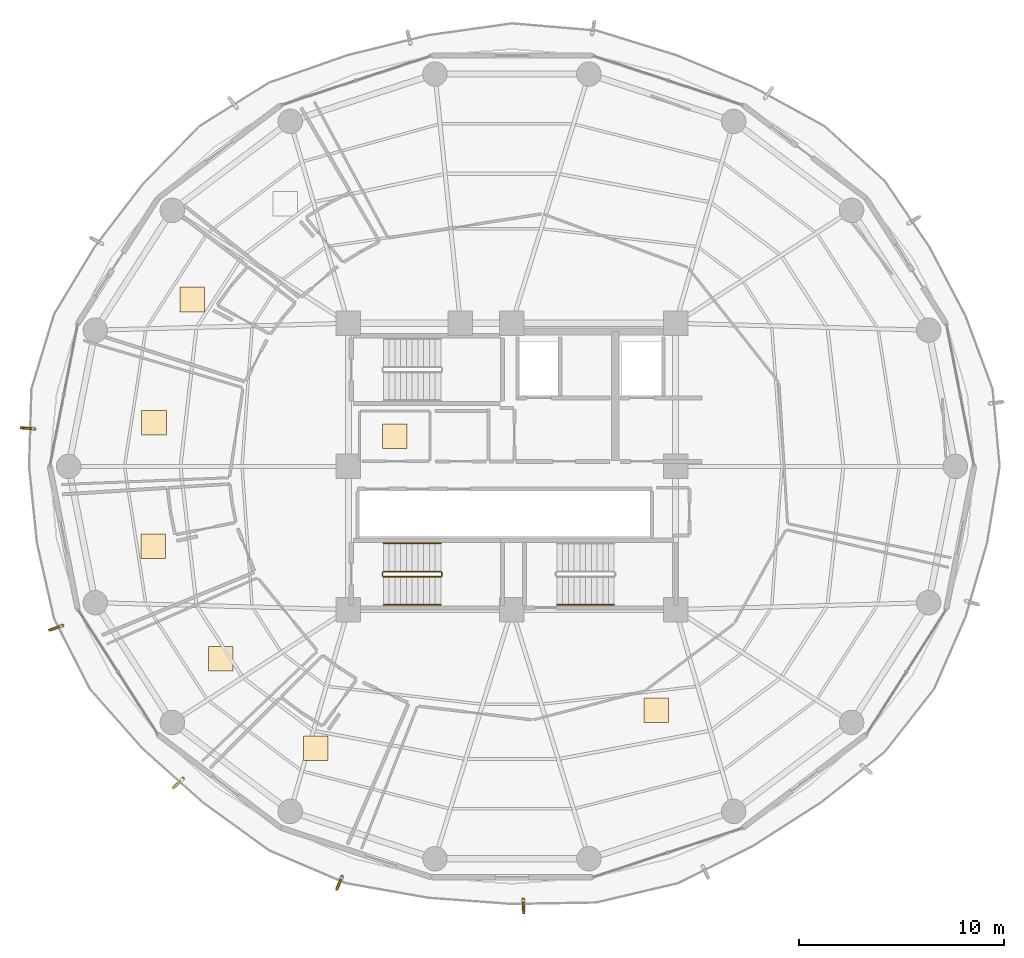
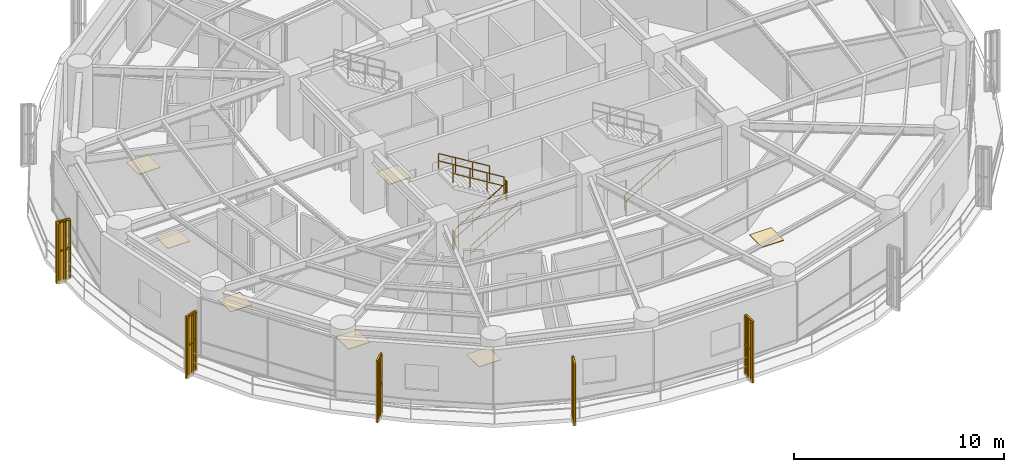
# One storey, part 25 of 27: 12 railings, 7 coverings, 5 shading devices.
"""IFC4 building model written with IfcOpenShell, lengths in metres."""

from ifc_helpers import new_model, si_unit, direction, frame, origin, origin_2d, place, context, subcontext, project, spatial, polyline, rectangle, outline, extrude, source, transform, mapped, material, layer, layer_set, type_object, element, save


model = new_model("IFC4")

# Units and contexts
model_context = context("Model", 3, precision=1e-05, world=origin(), true_north=direction((0.0, 1.0)))
body_context = subcontext(model_context, "Body", "Model", "MODEL_VIEW")
ifc_project = project(units=[si_unit("LENGTHUNIT", "METRE"), si_unit("AREAUNIT", "SQUARE_METRE"), si_unit("VOLUMEUNIT", "CUBIC_METRE"), si_unit("PLANEANGLEUNIT", "RADIAN"), si_unit("MASSUNIT", "GRAM", prefix="KILO")], contexts=[model_context])

# Site, building, storey
site_placement = place(None, origin())
site = spatial("IfcSite", under=ifc_project, at=site_placement, CompositionType="ELEMENT")
building_placement = place(site_placement, origin())
building = spatial("IfcBuilding", under=site, at=building_placement, Name="Kelanora Arch Commons", CompositionType="ELEMENT")
storey_placement = place(building_placement, frame((0.0, 0.0, 150.60009765625)))
storey = spatial("IfcBuildingStorey", under=building, at=storey_placement, Name="L38", CompositionType="ELEMENT", Elevation=150.60009765625)

# Railings
ifc_material_1 = material(Name="Anodised bronze vertical shading fin rib assembly")
railing_type_1 = type_object("IfcRailingType", Name="RAIL-FIN-BRZ", PredefinedType="BALUSTRADE", material=ifc_material_1)
railing_1_placement = place(storey_placement, frame((50.663818359375, 59.8369140625, -0.02001953125)))
element("IfcRailing", 1, at=railing_1_placement, inside=storey, type_object=railing_type_1, Name="Sweeping Bronze Vertical Fin Blade L38-07", PredefinedType="BALUSTRADE", context=body_context, shape_type="SweptSolid", body=[
    extrude(outline(polyline([(0.06982421875, 0.0), (0.034912109375, 0.060546875), (-0.034912109375, 0.060546875), (-0.06982421875, 0.0), (-0.034912109375, -0.060546875), (0.034912109375, -0.060546875), (0.06982421875, 0.0)])), frame((0.0, 0.0, 3.419921875), z_axis=(-0.996895608088, 0.078734659298, 0.0), x_axis=(-0.078734659298, -0.996895608088, 0.0)), (0.0, 0.0, 1.0), 0.595458984375),
    extrude(outline(polyline([(0.06982421875, 0.0), (0.034912109375, 0.060546875), (-0.034912109375, 0.060546875), (-0.06982421875, 0.0), (-0.034912109375, -0.060546875), (0.034912109375, -0.060546875), (0.06982421875, 0.0)])), frame((0.0, 0.0, 1.7451171875), z_axis=(-0.996895608088, 0.078734659298, 0.0), x_axis=(-0.078734659298, -0.996895608088, 0.0)), (0.0, 0.0, 1.0), 0.595458984375),
    extrude(outline(polyline([(0.080078125, 0.0), (0.0400390625, 0.0693359375), (-0.0400390625, 0.0693359375), (-0.080078125, 0.0), (-0.0400390625, -0.0693359375), (0.0400390625, -0.0693359375), (0.080078125, 0.0)])), origin(), (0.0, 0.0, 1.0), 3.35009765625),
    extrude(outline(polyline([(0.080078125, 0.0), (0.0400390625, 0.0693359375), (-0.0400390625, 0.0693359375), (-0.080078125, 0.0), (-0.0400390625, -0.0693359375), (0.0400390625, -0.0693359375), (0.080078125, 0.0)])), frame((-0.296875, 0.0234375, 0.0)), (0.0, 0.0, 1.0), 3.35009765625),
    extrude(outline(polyline([(0.080078125, 0.0), (0.0400390625, 0.0693359375), (-0.0400390625, 0.0693359375), (-0.080078125, 0.0), (-0.0400390625, -0.0693359375), (0.0400390625, -0.0693359375), (0.080078125, 0.0)])), frame((-0.593505859375, 0.046875, 0.0)), (0.0, 0.0, 1.0), 3.35009765625),
])
railing_2_placement = place(storey_placement, frame((52.02734375, 50.219482421875, -0.02001953125)))
element("IfcRailing", 2, at=railing_2_placement, inside=storey, type_object=railing_type_1, Name="Sweeping Bronze Vertical Fin Blade L38-08", PredefinedType="BALUSTRADE", context=body_context, shape_type="SweptSolid", body=[
    extrude(outline(polyline([(0.06982421875, 0.0), (0.034912109375, 0.060546875), (-0.034912109375, 0.060546875), (-0.06982421875, 0.0), (-0.034912109375, -0.060546875), (0.034912109375, -0.060546875), (0.06982421875, 0.0)])), frame((0.0, 0.0, 3.419921875), z_axis=(-0.942656791627, -0.33376364871, 0.0), x_axis=(0.33376364871, -0.942656791627, 0.0)), (0.0, 0.0, 1.0), 0.595458984375),
    extrude(outline(polyline([(0.06982421875, 0.0), (0.034912109375, 0.060546875), (-0.034912109375, 0.060546875), (-0.06982421875, 0.0), (-0.034912109375, -0.060546875), (0.034912109375, -0.060546875), (0.06982421875, 0.0)])), frame((0.0, 0.0, 1.7451171875), z_axis=(-0.942656791627, -0.33376364871, 0.0), x_axis=(0.33376364871, -0.942656791627, 0.0)), (0.0, 0.0, 1.0), 0.595458984375),
    extrude(outline(polyline([(0.080078125, 0.0), (0.0400390625, 0.0693359375), (-0.0400390625, 0.0693359375), (-0.080078125, 0.0), (-0.0400390625, -0.0693359375), (0.0400390625, -0.0693359375), (0.080078125, 0.0)])), origin(), (0.0, 0.0, 1.0), 3.35009765625),
    extrude(outline(polyline([(0.080078125, 0.0), (0.0400390625, 0.0693359375), (-0.0400390625, 0.0693359375), (-0.080078125, 0.0), (-0.0400390625, -0.0693359375), (0.0400390625, -0.0693359375), (0.080078125, 0.0)])), frame((-0.28076171875, -0.099365234375, 0.0)), (0.0, 0.0, 1.0), 3.35009765625),
    extrude(outline(polyline([(0.080078125, 0.0), (0.0400390625, 0.0693359375), (-0.0400390625, 0.0693359375), (-0.080078125, 0.0), (-0.0400390625, -0.0693359375), (0.0400390625, -0.0693359375), (0.080078125, 0.0)])), frame((-0.561279296875, -0.19873046875, 0.0)), (0.0, 0.0, 1.0), 3.35009765625),
])
railing_3_placement = place(storey_placement, frame((57.914306640625, 42.735595703125, -0.02001953125)))
element("IfcRailing", 3, at=railing_3_placement, inside=storey, type_object=railing_type_1, Name="Sweeping Bronze Vertical Fin Blade L38-09", PredefinedType="BALUSTRADE", context=body_context, shape_type="SweptSolid", body=[
    extrude(outline(polyline([(0.06982421875, 0.0), (0.034912109375, 0.060546875), (-0.034912109375, 0.060546875), (-0.06982421875, 0.0), (-0.034912109375, -0.060546875), (0.034912109375, -0.060546875), (0.06982421875, 0.0)])), frame((0.0, 0.0, 3.419921875), z_axis=(-0.725510926707, -0.688210647425, 0.0), x_axis=(0.688210647425, -0.725510926707, 0.0)), (0.0, 0.0, 1.0), 0.595703125),
    extrude(outline(polyline([(0.06982421875, 0.0), (0.034912109375, 0.060546875), (-0.034912109375, 0.060546875), (-0.06982421875, 0.0), (-0.034912109375, -0.060546875), (0.034912109375, -0.060546875), (0.06982421875, 0.0)])), frame((0.0, 0.0, 1.7451171875), z_axis=(-0.725510926707, -0.688210647425, 0.0), x_axis=(0.688210647425, -0.725510926707, 0.0)), (0.0, 0.0, 1.0), 0.595703125),
    extrude(outline(polyline([(0.080078125, 0.0), (0.0400390625, 0.0693359375), (-0.0400390625, 0.0693359375), (-0.080078125, 0.0), (-0.0400390625, -0.0693359375), (0.0400390625, -0.0693359375), (0.080078125, 0.0)])), origin(), (0.0, 0.0, 1.0), 3.35009765625),
    extrude(outline(polyline([(0.080078125, 0.0), (0.0400390625, 0.0693359375), (-0.0400390625, 0.0693359375), (-0.080078125, 0.0), (-0.0400390625, -0.0693359375), (0.0400390625, -0.0693359375), (0.080078125, 0.0)])), frame((-0.216064453125, -0.205078125, 0.0)), (0.0, 0.0, 1.0), 3.35009765625),
    extrude(outline(polyline([(0.080078125, 0.0), (0.0400390625, 0.0693359375), (-0.0400390625, 0.0693359375), (-0.080078125, 0.0), (-0.0400390625, -0.0693359375), (0.0400390625, -0.0693359375), (0.080078125, 0.0)])), frame((-0.43212890625, -0.409912109375, 0.0)), (0.0, 0.0, 1.0), 3.35009765625),
])
railing_4_placement = place(storey_placement, frame((65.693115234375, 37.946044921875, -0.02001953125)))
element("IfcRailing", 4, at=railing_4_placement, inside=storey, type_object=railing_type_1, Name="Sweeping Bronze Vertical Fin Blade L38-10", PredefinedType="BALUSTRADE", context=body_context, shape_type="SweptSolid", body=[
    extrude(outline(polyline([(0.06982421875, 0.0), (0.034912109375, 0.060546875), (-0.034912109375, 0.060546875), (-0.06982421875, 0.0), (-0.034912109375, -0.060546875), (0.034912109375, -0.060546875), (0.06982421875, 0.0)])), frame((0.0, 0.0, 3.419921875), z_axis=(-0.38295528855, -0.923766879127, 0.0), x_axis=(0.923766879127, -0.38295528855, 0.0)), (0.0, 0.0, 1.0), 0.595458984375),
    extrude(outline(polyline([(0.06982421875, 0.0), (0.034912109375, 0.060546875), (-0.034912109375, 0.060546875), (-0.06982421875, 0.0), (-0.034912109375, -0.060546875), (0.034912109375, -0.060546875), (0.06982421875, 0.0)])), frame((0.0, 0.0, 1.7451171875), z_axis=(-0.38295528855, -0.923766879127, 0.0), x_axis=(0.923766879127, -0.38295528855, 0.0)), (0.0, 0.0, 1.0), 0.595458984375),
    extrude(outline(polyline([(0.080078125, 0.0), (0.0400390625, 0.0693359375), (-0.0400390625, 0.0693359375), (-0.080078125, 0.0), (-0.0400390625, -0.0693359375), (0.0400390625, -0.0693359375), (0.080078125, 0.0)])), origin(), (0.0, 0.0, 1.0), 3.35009765625),
    extrude(outline(polyline([(0.080078125, 0.0), (0.0400390625, 0.0693359375), (-0.0400390625, 0.0693359375), (-0.080078125, 0.0), (-0.0400390625, -0.0693359375), (0.0400390625, -0.0693359375), (0.080078125, 0.0)])), frame((-0.114013671875, -0.27490234375, 0.0)), (0.0, 0.0, 1.0), 3.35009765625),
    extrude(outline(polyline([(0.080078125, 0.0), (0.0400390625, 0.0693359375), (-0.0400390625, 0.0693359375), (-0.080078125, 0.0), (-0.0400390625, -0.0693359375), (0.0400390625, -0.0693359375), (0.080078125, 0.0)])), frame((-0.22802734375, -0.550048828125, 0.0)), (0.0, 0.0, 1.0), 3.35009765625),
])
railing_5_placement = place(storey_placement, frame((74.5537109375, 36.83984375, -0.02001953125)))
element("IfcRailing", 5, at=railing_5_placement, inside=storey, type_object=railing_type_1, Name="Sweeping Bronze Vertical Fin Blade L38-11", PredefinedType="BALUSTRADE", context=body_context, shape_type="SweptSolid", body=[
    extrude(outline(polyline([(0.06982421875, 0.0), (0.034912109375, 0.060546875), (-0.034912109375, 0.060546875), (-0.06982421875, 0.0), (-0.034912109375, -0.060546875), (0.034912109375, -0.060546875), (0.06982421875, 0.0)])), frame((0.0, 0.0, 3.419921875), z_axis=(0.026241985098, -0.99965561981, 0.0), x_axis=(0.99965561981, 0.026241985098, 0.0)), (0.0, 0.0, 1.0), 0.595458984375),
    extrude(outline(polyline([(0.06982421875, 0.0), (0.034912109375, 0.060546875), (-0.034912109375, 0.060546875), (-0.06982421875, 0.0), (-0.034912109375, -0.060546875), (0.034912109375, -0.060546875), (0.06982421875, 0.0)])), frame((0.0, 0.0, 1.7451171875), z_axis=(0.026241985098, -0.99965561981, 0.0), x_axis=(0.99965561981, 0.026241985098, 0.0)), (0.0, 0.0, 1.0), 0.595458984375),
    extrude(outline(polyline([(0.080078125, 0.0), (0.0400390625, 0.0693359375), (-0.0400390625, 0.0693359375), (-0.080078125, 0.0), (-0.0400390625, -0.0693359375), (0.0400390625, -0.0693359375), (0.080078125, 0.0)])), origin(), (0.0, 0.0, 1.0), 3.35009765625),
    extrude(outline(polyline([(0.080078125, 0.0), (0.0400390625, 0.0693359375), (-0.0400390625, 0.0693359375), (-0.080078125, 0.0), (-0.0400390625, -0.0693359375), (0.0400390625, -0.0693359375), (0.080078125, 0.0)])), frame((0.0078125, -0.297607421875, 0.0)), (0.0, 0.0, 1.0), 3.35009765625),
    extrude(outline(polyline([(0.080078125, 0.0), (0.0400390625, 0.0693359375), (-0.0400390625, 0.0693359375), (-0.080078125, 0.0), (-0.0400390625, -0.0693359375), (0.0400390625, -0.0693359375), (0.080078125, 0.0)])), frame((0.015625, -0.59521484375, 0.0)), (0.0, 0.0, 1.0), 3.35009765625),
])
ifc_material_2 = material(Name="Painted steel stair well guard", Category="steel")
railing_type_2 = type_object("IfcRailingType", Name="RAIL-STAIR-GRD", PredefinedType="GUARDRAIL", material=ifc_material_2)
railing_6_placement = place(storey_placement, frame((67.719970703125, 52.610107421875, 0.17041015625)))
element("IfcRailing", 6, at=railing_6_placement, inside=storey, type_object=railing_type_2, Name="L38 ST-T3 stair guard 1", PredefinedType="GUARDRAIL", context=body_context, shape_type="SweptSolid", body=[
    extrude(outline(polyline([(0.02392578125, 0.0), (0.011962890625, 0.020751953125), (-0.011962890625, 0.020751953125), (-0.02392578125, 0.0), (-0.011962890625, -0.020751953125), (0.011962890625, -0.020751953125), (0.02392578125, 0.0)])), frame((0.0, 0.0, 1.076171875), z_axis=(0.854169791009, 0.0, 0.51999420009), x_axis=(0.0, 1.0, 0.0)), (0.0, 0.0, 1.0), 3.278076171875),
    extrude(outline(polyline([(0.02392578125, 0.0), (0.011962890625, 0.020751953125), (-0.011962890625, 0.020751953125), (-0.02392578125, 0.0), (-0.011962890625, -0.020751953125), (0.011962890625, -0.020751953125), (0.02392578125, 0.0)])), frame((0.0, 0.0, 0.550048828125), z_axis=(0.854169791009, 0.0, 0.51999420009), x_axis=(0.0, 1.0, 0.0)), (0.0, 0.0, 1.0), 3.278076171875),
    extrude(outline(polyline([(0.02099609375, 0.0), (0.010498046875, 0.01806640625), (-0.010498046875, 0.01806640625), (-0.02099609375, 0.0), (-0.010498046875, -0.01806640625), (0.010498046875, -0.01806640625), (0.02099609375, 0.0)])), origin(), (0.0, 0.0, 1.0), 1.052001953125),
    extrude(outline(polyline([(0.02099609375, 0.0), (0.010498046875, 0.01806640625), (-0.010498046875, 0.01806640625), (-0.02099609375, 0.0), (-0.010498046875, -0.01806640625), (0.010498046875, -0.01806640625), (0.02099609375, 0.0)])), frame((0.933349609375, 0.0, 0.568115234375)), (0.0, 0.0, 1.0), 1.052001953125),
    extrude(outline(polyline([(0.02099609375, 0.0), (0.010498046875, 0.01806640625), (-0.010498046875, 0.01806640625), (-0.02099609375, 0.0), (-0.010498046875, -0.01806640625), (0.010498046875, -0.01806640625), (0.02099609375, 0.0)])), frame((1.86669921875, 0.0, 1.136474609375)), (0.0, 0.0, 1.0), 1.052001953125),
    extrude(outline(polyline([(0.02099609375, 0.0), (0.010498046875, 0.01806640625), (-0.010498046875, 0.01806640625), (-0.02099609375, 0.0), (-0.010498046875, -0.01806640625), (0.010498046875, -0.01806640625), (0.02099609375, 0.0)])), frame((2.800048828125, 0.0, 1.70458984375)), (0.0, 0.0, 1.0), 1.052001953125),
])
railing_7_placement = place(storey_placement, frame((70.570068359375, 52.659912109375, 1.875)))
element("IfcRailing", 7, at=railing_7_placement, inside=storey, type_object=railing_type_2, Name="L38 ST-T3 stair guard 2", PredefinedType="GUARDRAIL", context=body_context, shape_type="SweptSolid", body=[
    extrude(outline(polyline([(0.02392578125, 0.0), (0.011962890625, 0.020751953125), (-0.011962890625, 0.020751953125), (-0.02392578125, 0.0), (-0.011962890625, -0.020751953125), (0.011962890625, -0.020751953125), (0.02392578125, 0.0)])), frame((0.0, 0.0, 1.076171875), z_axis=(0.0, 1.0, 0.0), x_axis=(-1.0, 0.0, 0.0)), (0.0, 0.0, 1.0), 0.150146484375),
    extrude(outline(polyline([(0.02392578125, 0.0), (0.011962890625, 0.020751953125), (-0.011962890625, 0.020751953125), (-0.02392578125, 0.0), (-0.011962890625, -0.020751953125), (0.011962890625, -0.020751953125), (0.02392578125, 0.0)])), frame((0.0, 0.0, 0.550048828125), z_axis=(0.0, 1.0, 0.0), x_axis=(-1.0, 0.0, 0.0)), (0.0, 0.0, 1.0), 0.150146484375),
    extrude(outline(polyline([(0.02099609375, 0.0), (0.010498046875, 0.01806640625), (-0.010498046875, 0.01806640625), (-0.02099609375, 0.0), (-0.010498046875, -0.01806640625), (0.010498046875, -0.01806640625), (0.02099609375, 0.0)])), origin(), (0.0, 0.0, 1.0), 1.052001953125),
    extrude(outline(polyline([(0.02099609375, 0.0), (0.010498046875, 0.01806640625), (-0.010498046875, 0.01806640625), (-0.02099609375, 0.0), (-0.010498046875, -0.01806640625), (0.010498046875, -0.01806640625), (0.02099609375, 0.0)])), frame((0.0, 0.150146484375, 0.0)), (0.0, 0.0, 1.0), 1.052001953125),
])
railing_8_placement = place(storey_placement, frame((70.52001953125, 52.860107421875, 2.04541015625)))
element("IfcRailing", 8, at=railing_8_placement, inside=storey, type_object=railing_type_2, Name="L38 ST-T3 stair guard 3", PredefinedType="GUARDRAIL", context=body_context, shape_type="SweptSolid", body=[
    extrude(outline(polyline([(0.02392578125, 0.0), (0.011962890625, 0.020751953125), (-0.011962890625, 0.020751953125), (-0.02392578125, 0.0), (-0.011962890625, -0.020751953125), (0.011962890625, -0.020751953125), (0.02392578125, 0.0)])), frame((0.0, 0.0, 1.076171875), z_axis=(-0.854169791009, 0.0, 0.51999420009), x_axis=(0.0, -1.0, 0.0)), (0.0, 0.0, 1.0), 3.278076171875),
    extrude(outline(polyline([(0.02392578125, 0.0), (0.011962890625, 0.020751953125), (-0.011962890625, 0.020751953125), (-0.02392578125, 0.0), (-0.011962890625, -0.020751953125), (0.011962890625, -0.020751953125), (0.02392578125, 0.0)])), frame((0.0, 0.0, 0.550048828125), z_axis=(-0.854169791009, 0.0, 0.51999420009), x_axis=(0.0, -1.0, 0.0)), (0.0, 0.0, 1.0), 3.278076171875),
    extrude(outline(polyline([(0.02099609375, 0.0), (0.010498046875, 0.01806640625), (-0.010498046875, 0.01806640625), (-0.02099609375, 0.0), (-0.010498046875, -0.01806640625), (0.010498046875, -0.01806640625), (0.02099609375, 0.0)])), origin(), (0.0, 0.0, 1.0), 1.052001953125),
    extrude(outline(polyline([(0.02099609375, 0.0), (0.010498046875, 0.01806640625), (-0.010498046875, 0.01806640625), (-0.02099609375, 0.0), (-0.010498046875, -0.01806640625), (0.010498046875, -0.01806640625), (0.02099609375, 0.0)])), frame((-0.933349609375, 0.0, 0.568115234375)), (0.0, 0.0, 1.0), 1.052001953125),
    extrude(outline(polyline([(0.02099609375, 0.0), (0.010498046875, 0.01806640625), (-0.010498046875, 0.01806640625), (-0.02099609375, 0.0), (-0.010498046875, -0.01806640625), (0.010498046875, -0.01806640625), (0.02099609375, 0.0)])), frame((-1.86669921875, 0.0, 1.136474609375)), (0.0, 0.0, 1.0), 1.052001953125),
    extrude(outline(polyline([(0.02099609375, 0.0), (0.010498046875, 0.01806640625), (-0.010498046875, 0.01806640625), (-0.02099609375, 0.0), (-0.010498046875, -0.01806640625), (0.010498046875, -0.01806640625), (0.02099609375, 0.0)])), frame((-2.800048828125, 0.0, 1.70458984375)), (0.0, 0.0, 1.0), 1.052001953125),
])
railing_9_placement = place(storey_placement, frame((67.669921875, 52.659912109375, 0.0)))
element("IfcRailing", 9, at=railing_9_placement, inside=storey, type_object=railing_type_2, Name="L38 ST-T3 stair guard 4", PredefinedType="GUARDRAIL", context=body_context, shape_type="SweptSolid", body=[
    extrude(outline(polyline([(0.02392578125, 0.0), (0.011962890625, 0.020751953125), (-0.011962890625, 0.020751953125), (-0.02392578125, 0.0), (-0.011962890625, -0.020751953125), (0.011962890625, -0.020751953125), (0.02392578125, 0.0)])), frame((0.0, 0.0, 1.076171875), z_axis=(0.0, 1.0, 0.0), x_axis=(-1.0, 0.0, 0.0)), (0.0, 0.0, 1.0), 0.150146484375),
    extrude(outline(polyline([(0.02392578125, 0.0), (0.011962890625, 0.020751953125), (-0.011962890625, 0.020751953125), (-0.02392578125, 0.0), (-0.011962890625, -0.020751953125), (0.011962890625, -0.020751953125), (0.02392578125, 0.0)])), frame((0.0, 0.0, 0.550048828125), z_axis=(0.0, 1.0, 0.0), x_axis=(-1.0, 0.0, 0.0)), (0.0, 0.0, 1.0), 0.150146484375),
    extrude(outline(polyline([(0.02099609375, 0.0), (0.010498046875, 0.01806640625), (-0.010498046875, 0.01806640625), (-0.02099609375, 0.0), (-0.010498046875, -0.01806640625), (0.010498046875, -0.01806640625), (0.02099609375, 0.0)])), origin(), (0.0, 0.0, 1.0), 1.052001953125),
    extrude(outline(polyline([(0.02099609375, 0.0), (0.010498046875, 0.01806640625), (-0.010498046875, 0.01806640625), (-0.02099609375, 0.0), (-0.010498046875, -0.01806640625), (0.010498046875, -0.01806640625), (0.02099609375, 0.0)])), frame((0.0, 0.150146484375, 0.0)), (0.0, 0.0, 1.0), 1.052001953125),
])
ifc_material_3 = material(Name="Brushed stainless steel stair handrail", Category="steel")
railing_type_3 = type_object("IfcRailingType", Name="RAIL-STAIR-HND", PredefinedType="HANDRAIL", material=ifc_material_3)
railing_10_placement = place(storey_placement, frame((76.199951171875, 51.22998046875, 0.17041015625)))
element("IfcRailing", 10, at=railing_10_placement, inside=storey, type_object=railing_type_3, Name="L38 ST-T2 stair handrail 1", PredefinedType="HANDRAIL", context=body_context, shape_type="SweptSolid", body=[
    extrude(outline(polyline([(0.02392578125, 0.0), (0.011962890625, 0.020751953125), (-0.011962890625, 0.020751953125), (-0.02392578125, 0.0), (-0.011962890625, -0.020751953125), (0.011962890625, -0.020751953125), (0.02392578125, 0.0)])), frame((0.0, 0.0, 0.8759765625), z_axis=(0.854169791009, 0.0, 0.51999420009), x_axis=(0.0, 1.0, 0.0)), (0.0, 0.0, 1.0), 3.278076171875),
    extrude(outline(polyline([(0.02392578125, 0.0), (0.011962890625, 0.020751953125), (-0.011962890625, 0.020751953125), (-0.02392578125, 0.0), (-0.011962890625, -0.020751953125), (0.011962890625, -0.020751953125), (0.02392578125, 0.0)])), frame((0.0, 0.0, 0.449951171875), z_axis=(0.854169791009, 0.0, 0.51999420009), x_axis=(0.0, 1.0, 0.0)), (0.0, 0.0, 1.0), 3.278076171875),
    extrude(outline(polyline([(0.02099609375, 0.0), (0.010498046875, 0.01806640625), (-0.010498046875, 0.01806640625), (-0.02099609375, 0.0), (-0.010498046875, -0.01806640625), (0.010498046875, -0.01806640625), (0.02099609375, 0.0)])), origin(), (0.0, 0.0, 1.0), 0.851806640625),
    extrude(outline(polyline([(0.02099609375, 0.0), (0.010498046875, 0.01806640625), (-0.010498046875, 0.01806640625), (-0.02099609375, 0.0), (-0.010498046875, -0.01806640625), (0.010498046875, -0.01806640625), (0.02099609375, 0.0)])), frame((0.933349609375, 0.0, 0.568115234375)), (0.0, 0.0, 1.0), 0.851806640625),
    extrude(outline(polyline([(0.02099609375, 0.0), (0.010498046875, 0.01806640625), (-0.010498046875, 0.01806640625), (-0.02099609375, 0.0), (-0.010498046875, -0.01806640625), (0.010498046875, -0.01806640625), (0.02099609375, 0.0)])), frame((1.86669921875, 0.0, 1.136474609375)), (0.0, 0.0, 1.0), 0.851806640625),
    extrude(outline(polyline([(0.02099609375, 0.0), (0.010498046875, 0.01806640625), (-0.010498046875, 0.01806640625), (-0.02099609375, 0.0), (-0.010498046875, -0.01806640625), (0.010498046875, -0.01806640625), (0.02099609375, 0.0)])), frame((2.800048828125, 0.0, 1.70458984375)), (0.0, 0.0, 1.0), 0.851806640625),
])
railing_11_placement = place(storey_placement, frame((67.719970703125, 51.22998046875, 0.17041015625)))
element("IfcRailing", 11, at=railing_11_placement, inside=storey, type_object=railing_type_3, Name="L38 ST-T3 stair handrail 1", PredefinedType="HANDRAIL", context=body_context, shape_type="SweptSolid", body=[
    extrude(outline(polyline([(0.02392578125, 0.0), (0.011962890625, 0.020751953125), (-0.011962890625, 0.020751953125), (-0.02392578125, 0.0), (-0.011962890625, -0.020751953125), (0.011962890625, -0.020751953125), (0.02392578125, 0.0)])), frame((0.0, 0.0, 0.8759765625), z_axis=(0.854169791009, 0.0, 0.51999420009), x_axis=(0.0, 1.0, 0.0)), (0.0, 0.0, 1.0), 3.278076171875),
    extrude(outline(polyline([(0.02392578125, 0.0), (0.011962890625, 0.020751953125), (-0.011962890625, 0.020751953125), (-0.02392578125, 0.0), (-0.011962890625, -0.020751953125), (0.011962890625, -0.020751953125), (0.02392578125, 0.0)])), frame((0.0, 0.0, 0.449951171875), z_axis=(0.854169791009, 0.0, 0.51999420009), x_axis=(0.0, 1.0, 0.0)), (0.0, 0.0, 1.0), 3.278076171875),
    extrude(outline(polyline([(0.02099609375, 0.0), (0.010498046875, 0.01806640625), (-0.010498046875, 0.01806640625), (-0.02099609375, 0.0), (-0.010498046875, -0.01806640625), (0.010498046875, -0.01806640625), (0.02099609375, 0.0)])), origin(), (0.0, 0.0, 1.0), 0.851806640625),
    extrude(outline(polyline([(0.02099609375, 0.0), (0.010498046875, 0.01806640625), (-0.010498046875, 0.01806640625), (-0.02099609375, 0.0), (-0.010498046875, -0.01806640625), (0.010498046875, -0.01806640625), (0.02099609375, 0.0)])), frame((0.933349609375, 0.0, 0.568115234375)), (0.0, 0.0, 1.0), 0.851806640625),
    extrude(outline(polyline([(0.02099609375, 0.0), (0.010498046875, 0.01806640625), (-0.010498046875, 0.01806640625), (-0.02099609375, 0.0), (-0.010498046875, -0.01806640625), (0.010498046875, -0.01806640625), (0.02099609375, 0.0)])), frame((1.86669921875, 0.0, 1.136474609375)), (0.0, 0.0, 1.0), 0.851806640625),
    extrude(outline(polyline([(0.02099609375, 0.0), (0.010498046875, 0.01806640625), (-0.010498046875, 0.01806640625), (-0.02099609375, 0.0), (-0.010498046875, -0.01806640625), (0.010498046875, -0.01806640625), (0.02099609375, 0.0)])), frame((2.800048828125, 0.0, 1.70458984375)), (0.0, 0.0, 1.0), 0.851806640625),
])
railing_12_placement = place(storey_placement, frame((70.52001953125, 54.239990234375, 2.04541015625)))
element("IfcRailing", 12, at=railing_12_placement, inside=storey, type_object=railing_type_3, Name="L38 ST-T3 stair handrail 2", PredefinedType="HANDRAIL", context=body_context, shape_type="SweptSolid", body=[
    extrude(outline(polyline([(0.02392578125, 0.0), (0.011962890625, 0.020751953125), (-0.011962890625, 0.020751953125), (-0.02392578125, 0.0), (-0.011962890625, -0.020751953125), (0.011962890625, -0.020751953125), (0.02392578125, 0.0)])), frame((0.0, 0.0, 0.8759765625), z_axis=(-0.854169791009, 0.0, 0.51999420009), x_axis=(0.0, -1.0, 0.0)), (0.0, 0.0, 1.0), 3.278076171875),
    extrude(outline(polyline([(0.02392578125, 0.0), (0.011962890625, 0.020751953125), (-0.011962890625, 0.020751953125), (-0.02392578125, 0.0), (-0.011962890625, -0.020751953125), (0.011962890625, -0.020751953125), (0.02392578125, 0.0)])), frame((0.0, 0.0, 0.449951171875), z_axis=(-0.854169791009, 0.0, 0.51999420009), x_axis=(0.0, -1.0, 0.0)), (0.0, 0.0, 1.0), 3.278076171875),
    extrude(outline(polyline([(0.02099609375, 0.0), (0.010498046875, 0.01806640625), (-0.010498046875, 0.01806640625), (-0.02099609375, 0.0), (-0.010498046875, -0.01806640625), (0.010498046875, -0.01806640625), (0.02099609375, 0.0)])), origin(), (0.0, 0.0, 1.0), 0.851806640625),
    extrude(outline(polyline([(0.02099609375, 0.0), (0.010498046875, 0.01806640625), (-0.010498046875, 0.01806640625), (-0.02099609375, 0.0), (-0.010498046875, -0.01806640625), (0.010498046875, -0.01806640625), (0.02099609375, 0.0)])), frame((-0.933349609375, 0.0, 0.568115234375)), (0.0, 0.0, 1.0), 0.851806640625),
    extrude(outline(polyline([(0.02099609375, 0.0), (0.010498046875, 0.01806640625), (-0.010498046875, 0.01806640625), (-0.02099609375, 0.0), (-0.010498046875, -0.01806640625), (0.010498046875, -0.01806640625), (0.02099609375, 0.0)])), frame((-1.86669921875, 0.0, 1.136474609375)), (0.0, 0.0, 1.0), 0.851806640625),
    extrude(outline(polyline([(0.02099609375, 0.0), (0.010498046875, 0.01806640625), (-0.010498046875, 0.01806640625), (-0.02099609375, 0.0), (-0.010498046875, -0.01806640625), (0.010498046875, -0.01806640625), (0.02099609375, 0.0)])), frame((-2.800048828125, 0.0, 1.70458984375)), (0.0, 0.0, 1.0), 0.851806640625),
])

# Shading devices
ifc_material_4 = material(Name="Terracotta ceramic-clad extruded aluminium fin", Category="masonry")
shading_device_type = type_object("IfcShadingDeviceType", Name="SHD-FIN-WAIST", PredefinedType="USERDEFINED", material=ifc_material_4)
shared_shape_1 = source(origin(), body_context, "Body", "SweptSolid", [
    extrude(rectangle(XDim=0.56005859375, YDim=0.090087890625, at=origin_2d()), origin(), (0.0, 0.0, 1.0), 3.610107421875),
])
for number, where, z_axis, x_axis, name in (
    (13, (50.2275390625, 59.871337890625, -0.14013671875), (0.0, 0.0, 1.0), (-0.996917333733, 0.078459095728, 0.0), "Sweeping Terracotta Fin L38-07"),
    (14, (51.61474609375, 50.073486328125, -0.14013671875), (0.0, 0.0, 1.0), (-0.942641491092, -0.333806859234, 0.0), "Sweeping Terracotta Fin L38-08"),
    (15, (57.5966796875, 42.434326171875, -0.14013671875), (0.0, 0.0, 1.0), (-0.725374371012, -0.688354575694, 0.0), "Sweeping Terracotta Fin L38-09"),
    (16, (65.525390625, 37.541748046875, -0.14013671875), (0.0, 0.0, 1.0), (-0.382683432365, -0.923879532511, 0.0), "Sweeping Terracotta Fin L38-10"),
    (17, (74.565185546875, 36.40234375, -0.14013671875), (0.0, 0.0, 1.0), (0.026176948308, -0.999657324976, 0.0), "Sweeping Terracotta Fin L38-11"),
):
    element("IfcShadingDevice", number, at=place(storey_placement, frame(where, z_axis=z_axis, x_axis=x_axis)), inside=storey, type_object=shading_device_type, Name=name, ObjectType="FIN", PredefinedType="USERDEFINED", context=body_context, shape_type="MappedRepresentation", body=[
        mapped(shared_shape_1, transform((0.0, 0.0, 0.0), scale=1.0)),
    ])

# Coverings
ifc_material_5 = material(Name="Polished local granite terrazzo flooring", Category="masonry")
ifc_layer = layer(ifc_material_5, 0.030029296875)
ifc_layer_set = layer_set([ifc_layer], Name="Polished local granite terrazzo flooring")
covering_type = type_object("IfcCoveringType", Name="COV-FLR-TER", PredefinedType="FLOORING", material=ifc_layer_set)
shared_shape_2 = source(origin(), body_context, "Body", "SweptSolid", [
    extrude(rectangle(XDim=1.199951171875, YDim=1.199951171875, at=origin_2d()), origin(), (0.0, 0.0, 1.0), 0.030029296875),
])
for number, where, z_axis, x_axis, name in (
    (18, (68.27490234375, 59.485107421875, 0.0), (0.0, 0.0, 1.0), (1.0, 0.0, 0.0), "Reclaimed Core Quiet Phone Booths L38 Terrazzo Finish"),
    (19, (81.058837890625, 46.080322265625, 0.0), (0.0, 0.0, 1.0), (1.0, 0.0, 0.0), "South-East Shared Study Commons L38 Terrazzo Finish"),
    (20, (58.36328125, 66.162353515625, 0.0), (0.0, 0.0, 1.0), (1.0, 0.0, 0.0), "Co-Living Studio L38-02 Terrazzo Finish"),
    (21, (56.49658203125, 60.145751953125, 0.0), (0.0, 0.0, 1.0), (1.0, 0.0, 0.0), "Communal Dining and Social Hall L38-03 Terrazzo Finish"),
    (22, (56.453125, 54.089111328125, 0.0), (0.0, 0.0, 1.0), (1.0, 0.0, 0.0), "Co-Living Studio L38-04 Terrazzo Finish"),
    (23, (59.758544921875, 48.59619140625, 0.0), (0.0, 0.0, 1.0), (1.0, 0.0, 0.0), "Social Sky Lounge L38-05 Terrazzo Finish"),
    (24, (64.406494140625, 44.2138671875, 0.0), (0.0, 0.0, 1.0), (1.0, 0.0, 0.0), "Co-Living Studio L38-06 Terrazzo Finish"),
):
    element("IfcCovering", number, at=place(storey_placement, frame(where, z_axis=z_axis, x_axis=x_axis)), inside=storey, type_object=covering_type, Name=name, PredefinedType="FLOORING", context=body_context, shape_type="MappedRepresentation", body=[
        mapped(shared_shape_2, transform((0.0, 0.0, 0.0), scale=1.0)),
    ])

save(model, "model.ifc")
